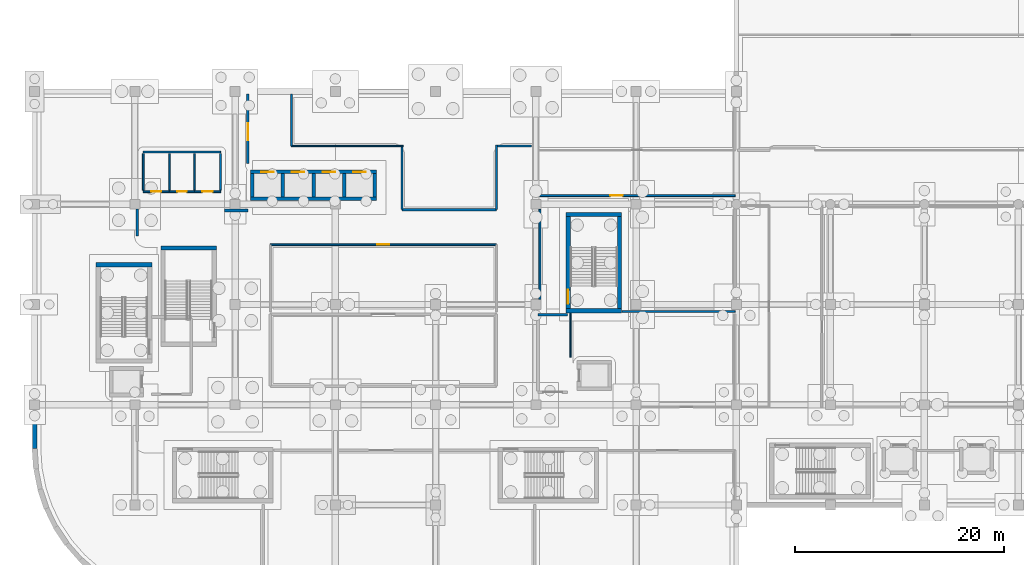
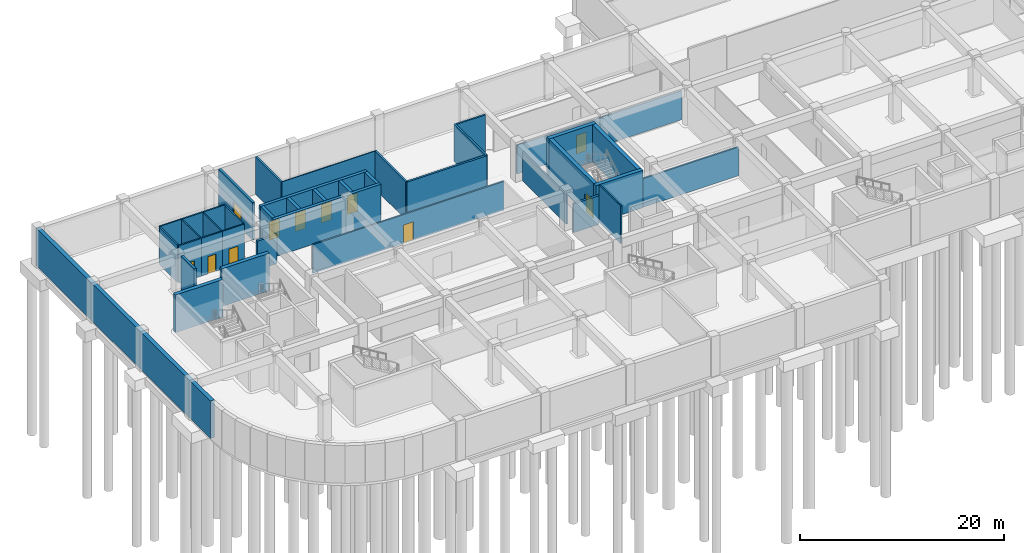
# One storey, part 14 of 47: 37 walls, 11 doors, 11 openings.
"""IFC4 building model written with IfcOpenShell, lengths in metres."""

from ifc_helpers import new_model, si_unit, direction, frame, frame_2d, origin, place, context, subcontext, project, spatial, rectangle, extrude, material, layer, layer_set, type_object, element, fill, save


model = new_model("IFC4")

# Units and contexts
model_context = context("Model", 3, precision=1e-05, world=origin(), true_north=direction((0.0, 1.0)))
body_context = subcontext(model_context, "Body", "Model", "MODEL_VIEW")
ifc_project = project(units=[si_unit("LENGTHUNIT", "METRE"), si_unit("AREAUNIT", "SQUARE_METRE"), si_unit("VOLUMEUNIT", "CUBIC_METRE"), si_unit("PLANEANGLEUNIT", "RADIAN"), si_unit("MASSUNIT", "GRAM", prefix="KILO")], contexts=[model_context])

# Site, building, storey
site_placement = place(None, origin())
site = spatial("IfcSite", under=ifc_project, at=site_placement, CompositionType="ELEMENT")
building_placement = place(site_placement, origin())
building = spatial("IfcBuilding", under=site, at=building_placement, Name="Cendralis Terraced Arcade", CompositionType="ELEMENT")
storey_placement = place(building_placement, frame((0.0, 0.0, -4.800048828125)))
storey = spatial("IfcBuildingStorey", under=building, at=storey_placement, Name="B1", CompositionType="ELEMENT", Elevation=-4.800048828125)

# Walls
ifc_material_1 = material(Name="Gypsum plasterboard acoustic partition", Category="concrete")
ifc_layer_1 = layer(ifc_material_1, 0.195068359375, Name="WL-ACOU-195")
ifc_layer_set_1 = layer_set([ifc_layer_1], Name="Gypsum plasterboard acoustic partition")
wall_type_1 = type_object("IfcWallType", Name="WL-ACOU-195", PredefinedType="PARTITIONING", material=ifc_layer_set_1)
wall_1_placement = place(storey_placement, frame((47.580810546875, 43.97998046875, 0.0), z_axis=(0.0, 0.0, 1.0), x_axis=(-1.0, 0.0, 0.0)))
element("IfcWall", 1, at=wall_1_placement, inside=storey, type_object=wall_type_1, Name="Interior Partition Wall IW-B1-0107", PredefinedType="PARTITIONING", context=body_context, shape_type="SweptSolid", body=[
    extrude(rectangle(XDim=3.255859375, YDim=0.195068359375, at=frame_2d((1.6279296875, 0.0))), origin(), (0.0, 0.0, 1.0), 4.5),
])
ifc_layer_2 = layer(ifc_material_1, 0.199951171875, Name="WL-ACOU-200")
ifc_layer_set_2 = layer_set([ifc_layer_2], Name="Gypsum plasterboard acoustic partition")
wall_type_2 = type_object("IfcWallType", Name="WL-ACOU-200", PredefinedType="PARTITIONING", material=ifc_layer_set_2)
wall_2_placement = place(storey_placement, frame((24.580078125, 43.97998046875, 0.0), z_axis=(0.0, 0.0, 1.0), x_axis=(0.0, 1.0, 0.0)))
element("IfcWall", 2, at=wall_2_placement, inside=storey, type_object=wall_type_2, Name="Interior Partition Wall IW-B1-0106", PredefinedType="PARTITIONING", context=body_context, shape_type="SweptSolid", body=[
    extrude(rectangle(XDim=4.969970703125, YDim=0.199951171875, at=frame_2d((2.48486328125, 0.0))), origin(), (0.0, 0.0, 1.0), 4.5),
])
ifc_layer_3 = layer(ifc_material_1, 0.2099609375, Name="WL-ACOU-210")
ifc_layer_set_3 = layer_set([ifc_layer_3], Name="Gypsum plasterboard acoustic partition")
wall_type_3 = type_object("IfcWallType", Name="WL-ACOU-210", PredefinedType="PARTITIONING", material=ifc_layer_set_3)
wall_3_placement = place(storey_placement, frame((44.219970703125, 44.077392578125, 0.0), z_axis=(0.0, 0.0, 1.0), x_axis=(0.0, -1.0, 0.0)))
element("IfcWall", 3, at=wall_3_placement, inside=storey, type_object=wall_type_3, Name="Interior Partition Wall IW-B1-0104", PredefinedType="PARTITIONING", context=body_context, shape_type="SweptSolid", body=[
    extrude(rectangle(XDim=6.197509765625, YDim=0.2099609375, at=frame_2d((3.0986328125, 0.0))), origin(), (0.0, 0.0, 1.0), 4.5),
])
ifc_material_2 = material(Name="Autoclaved aerated concrete blockwork", Category="masonry")
ifc_layer_4 = layer(ifc_material_2, 0.221923828125, Name="WL-ACOU-222")
ifc_layer_set_4 = layer_set([ifc_layer_4], Name="Autoclaved aerated concrete blockwork")
wall_type_4 = type_object("IfcWallType", Name="WL-ACOU-222", PredefinedType="PARTITIONING", material=ifc_layer_set_4)
wall_4_placement = place(storey_placement, frame((35.179931640625, 37.8798828125, 0.0), z_axis=(0.0, 0.0, 1.0), x_axis=(0.0, 1.0, 0.0)))
element("IfcWall", 4, at=wall_4_placement, inside=storey, type_object=wall_type_4, Name="Interior Partition Wall IW-B1-0103", PredefinedType="PARTITIONING", context=body_context, shape_type="SweptSolid", body=[
    extrude(rectangle(XDim=6.046142578125, YDim=0.221923828125, at=frame_2d((3.02294921875, 0.0))), origin(), (0.0, 0.0, 1.0), 4.5),
])
ifc_layer_5 = layer(ifc_material_2, 0.22802734375, Name="WL-ACOU-228")
ifc_layer_set_5 = layer_set([ifc_layer_5], Name="Autoclaved aerated concrete blockwork")
wall_type_5 = type_object("IfcWallType", Name="WL-ACOU-228", PredefinedType="PARTITIONING", material=ifc_layer_set_5)
wall_5_placement = place(storey_placement, frame((44.219970703125, 37.8798828125, 0.0), z_axis=(0.0, 0.0, 1.0), x_axis=(-1.0, 0.0, 0.0)))
element("IfcWall", 5, at=wall_5_placement, inside=storey, type_object=wall_type_5, Name="Interior Partition Wall IW-B1-0102", PredefinedType="PARTITIONING", context=body_context, shape_type="SweptSolid", body=[
    extrude(rectangle(XDim=9.0400390625, YDim=0.22802734375, at=frame_2d((4.52001953125, 0.0))), origin(), (0.0, 0.0, 1.0), 4.5),
])
ifc_material_3 = material(Name="Concrete f'c 42 MPa", Category="concrete")
ifc_layer_6 = layer(ifc_material_3, 0.340087890625, Name="WL-CORE-340")
ifc_layer_set_6 = layer_set([ifc_layer_6], Name="Concrete f'c 42 MPa")
wall_type_6 = type_object("IfcWallType", Name="WL-CORE-340", PredefinedType="SHEAR", material=ifc_layer_set_6)
for number, where, z_axis, x_axis, name in (
    (6, (23.77001953125, 39.074951171875, 0.0), (0.0, 0.0, 1.0), (0.0, 1.0, 0.0), "Lift PL-01 Reinforced Concrete Shaft Wall (B1)"),
    (7, (20.830078125, 39.074951171875, 0.0), (0.0, 0.0, 1.0), (0.0, 1.0, 0.0), "Lift PL-01 Reinforced Concrete Shaft Wall (B1)"),
):
    element("IfcWall", number, at=place(storey_placement, frame(where, z_axis=z_axis, x_axis=x_axis)), inside=storey, type_object=wall_type_6, Name=name, PredefinedType="SHEAR", context=body_context, shape_type="SweptSolid", body=[
        extrude(rectangle(XDim=2.25, YDim=0.340087890625, at=frame_2d((1.125, 0.0))), origin(), (0.0, 0.0, 1.0), 4.5),
    ])
wall_6_placement = place(storey_placement, frame((20.659912109375, 38.905029296875, 0.0), z_axis=(0.0, 0.0, 1.0), x_axis=(1.0, 0.0, 0.0)))
element("IfcWall", 8, at=wall_6_placement, inside=storey, type_object=wall_type_6, Name="Lift PL-01 Reinforced Concrete Shaft Wall (B1)", PredefinedType="SHEAR", context=body_context, shape_type="SweptSolid", body=[
    extrude(rectangle(XDim=12.10009765625, YDim=0.340087890625, at=frame_2d((6.050048828125, 0.0))), origin(), (0.0, 0.0, 1.0), 4.5),
])

# Wall, openings, doors
wall_7_placement = place(storey_placement, frame((20.659912109375, 41.4951171875, 0.0), z_axis=(0.0, 0.0, 1.0), x_axis=(1.0, 0.0, 0.0)))
wall_7 = element("IfcWall", 9, at=wall_7_placement, inside=storey, type_object=wall_type_6, Name="Lift PL-01 Reinforced Concrete Shaft Wall (B1)", PredefinedType="SHEAR", context=body_context, shape_type="SweptSolid", body=[
    extrude(rectangle(XDim=12.10009765625, YDim=0.340087890625, at=frame_2d((6.050048828125, 0.0))), origin(), (0.0, 0.0, 1.0), 4.5),
])
opening_1_placement = place(wall_7_placement, frame((1.0400390625, 0.0, 0.0)))
opening_1 = element("IfcOpeningElement", 10, at=opening_1_placement, cuts=wall_7, Name="Opening LD-PL-01-B1", PredefinedType="OPENING", context=body_context, shape_type="SweptSolid", body=[
    extrude(rectangle(XDim=1.199951171875, YDim=2.199951171875, at=frame_2d((0.60009765625, 1.10009765625))), frame((0.0, 0.18212890625, 0.0), z_axis=(0.0, -1.0, 0.0), x_axis=(1.0, 0.0, 0.0)), (0.0, 0.0, 1.0), 0.364013671875),
])
opening_2_placement = place(wall_7_placement, frame((3.97998046875, 0.0, 0.0)))
opening_2 = element("IfcOpeningElement", 11, at=opening_2_placement, cuts=wall_7, Name="Opening LD-PL-02-B1", PredefinedType="OPENING", context=body_context, shape_type="SweptSolid", body=[
    extrude(rectangle(XDim=1.199951171875, YDim=2.199951171875, at=frame_2d((0.60009765625, 1.10009765625))), frame((0.0, 0.18212890625, 0.0), z_axis=(0.0, -1.0, 0.0), x_axis=(1.0, 0.0, 0.0)), (0.0, 0.0, 1.0), 0.364013671875),
])
opening_3_placement = place(wall_7_placement, frame((6.919921875, 0.0, 0.0)))
opening_3 = element("IfcOpeningElement", 12, at=opening_3_placement, cuts=wall_7, Name="Opening LD-PL-03-B1", PredefinedType="OPENING", context=body_context, shape_type="SweptSolid", body=[
    extrude(rectangle(XDim=1.199951171875, YDim=2.199951171875, at=frame_2d((0.60009765625, 1.10009765625))), frame((0.0, 0.18212890625, 0.0), z_axis=(0.0, -1.0, 0.0), x_axis=(1.0, 0.0, 0.0)), (0.0, 0.0, 1.0), 0.364013671875),
])
opening_4_placement = place(wall_7_placement, frame((9.860107421875, 0.0, 0.0)))
opening_4 = element("IfcOpeningElement", 13, at=opening_4_placement, cuts=wall_7, Name="Opening LD-PL-04-B1", PredefinedType="OPENING", context=body_context, shape_type="SweptSolid", body=[
    extrude(rectangle(XDim=1.199951171875, YDim=2.199951171875, at=frame_2d((0.60009765625, 1.10009765625))), frame((0.0, 0.18212890625, 0.0), z_axis=(0.0, -1.0, 0.0), x_axis=(1.0, 0.0, 0.0)), (0.0, 0.0, 1.0), 0.364013671875),
])
ifc_material_4 = material(Name="Anodised aluminium sliding door assembly", Category="aluminium")
door_type_1 = type_object("IfcDoorType", Name="ID-LD-PX-1200x2200", OperationType="DOUBLE_DOOR_SLIDING", PredefinedType="DOOR", material=ifc_material_4)
door_1_placement = place(opening_1_placement, origin())
door_1 = element("IfcDoor", 14, at=door_1_placement, inside=storey, type_object=door_type_1, Name="Lift PL-01 Sliding Landing Door (B1)", OperationType="DOUBLE_DOOR_SLIDING", OverallHeight=2.199951171875, OverallWidth=1.199951171875, PredefinedType="DOOR", context=body_context, shape_type="SweptSolid", body=[
    extrude(rectangle(XDim=1.199951171875, YDim=2.199951171875, at=frame_2d((0.60009765625, 1.10009765625))), frame((0.0, 0.02490234375, 0.0), z_axis=(0.0, -1.0, 0.0), x_axis=(1.0, 0.0, 0.0)), (0.0, 0.0, 1.0), 0.050048828125),
])
fill(opening_1, door_1)
door_2_placement = place(opening_2_placement, origin())
door_2 = element("IfcDoor", 15, at=door_2_placement, inside=storey, type_object=door_type_1, Name="Lift PL-02 Sliding Landing Door (B1)", OperationType="DOUBLE_DOOR_SLIDING", OverallHeight=2.199951171875, OverallWidth=1.199951171875, PredefinedType="DOOR", context=body_context, shape_type="SweptSolid", body=[
    extrude(rectangle(XDim=1.199951171875, YDim=2.199951171875, at=frame_2d((0.60009765625, 1.10009765625))), frame((0.0, 0.02490234375, 0.0), z_axis=(0.0, -1.0, 0.0), x_axis=(1.0, 0.0, 0.0)), (0.0, 0.0, 1.0), 0.050048828125),
])
fill(opening_2, door_2)
door_3_placement = place(opening_3_placement, origin())
door_3 = element("IfcDoor", 16, at=door_3_placement, inside=storey, type_object=door_type_1, Name="Lift PL-03 Sliding Landing Door (B1)", OperationType="DOUBLE_DOOR_SLIDING", OverallHeight=2.199951171875, OverallWidth=1.199951171875, PredefinedType="DOOR", context=body_context, shape_type="SweptSolid", body=[
    extrude(rectangle(XDim=1.199951171875, YDim=2.199951171875, at=frame_2d((0.60009765625, 1.10009765625))), frame((0.0, 0.02490234375, 0.0), z_axis=(0.0, -1.0, 0.0), x_axis=(1.0, 0.0, 0.0)), (0.0, 0.0, 1.0), 0.050048828125),
])
fill(opening_3, door_3)
door_4_placement = place(opening_4_placement, origin())
door_4 = element("IfcDoor", 17, at=door_4_placement, inside=storey, type_object=door_type_1, Name="Lift PL-04 Sliding Landing Door (B1)", OperationType="DOUBLE_DOOR_SLIDING", OverallHeight=2.199951171875, OverallWidth=1.199951171875, PredefinedType="DOOR", context=body_context, shape_type="SweptSolid", body=[
    extrude(rectangle(XDim=1.199951171875, YDim=2.199951171875, at=frame_2d((0.60009765625, 1.10009765625))), frame((0.0, 0.02490234375, 0.0), z_axis=(0.0, -1.0, 0.0), x_axis=(1.0, 0.0, 0.0)), (0.0, 0.0, 1.0), 0.050048828125),
])
fill(opening_4, door_4)

# Walls
for number, where, z_axis, x_axis, name in (
    (18, (26.7099609375, 39.074951171875, 0.0), (0.0, 0.0, 1.0), (0.0, 1.0, 0.0), "Lift PL-02 Reinforced Concrete Shaft Wall (B1)"),
    (19, (29.64990234375, 39.074951171875, 0.0), (0.0, 0.0, 1.0), (0.0, 1.0, 0.0), "Lift PL-03 Reinforced Concrete Shaft Wall (B1)"),
    (20, (32.590087890625, 39.074951171875, 0.0), (0.0, 0.0, 1.0), (0.0, 1.0, 0.0), "Lift PL-04 Reinforced Concrete Shaft Wall (B1)"),
):
    element("IfcWall", number, at=place(storey_placement, frame(where, z_axis=z_axis, x_axis=x_axis)), inside=storey, type_object=wall_type_6, Name=name, PredefinedType="SHEAR", context=body_context, shape_type="SweptSolid", body=[
        extrude(rectangle(XDim=2.25, YDim=0.340087890625, at=frame_2d((1.125, 0.0))), origin(), (0.0, 0.0, 1.0), 4.5),
    ])
ifc_layer_7 = layer(ifc_material_3, 0.419921875, Name="WL-CORE-420")
ifc_layer_set_7 = layer_set([ifc_layer_7], Name="Concrete f'c 42 MPa")
wall_type_7 = type_object("IfcWallType", Name="WL-CORE-420", PredefinedType="SHEAR", material=ifc_layer_set_7)
for number, where, z_axis, x_axis, name in (
    (21, (5.8798828125, 32.610107421875, 0.0), (0.0, 0.0, 1.0), (1.0, 0.0, 0.0), "Stair Core Reinforced Concrete Shear Wall SW-ST-01-B1-N"),
    (22, (50.8798828125, 28.18994140625, 0.0), (0.0, 0.0, 1.0), (1.0, 0.0, 0.0), "Stair Core Reinforced Concrete Shear Wall SW-ST-04-B1-S"),
    (23, (50.8798828125, 37.409912109375, 0.0), (0.0, 0.0, 1.0), (1.0, 0.0, 0.0), "Stair Core Reinforced Concrete Shear Wall SW-ST-04-B1-N"),
):
    element("IfcWall", number, at=place(storey_placement, frame(where, z_axis=z_axis, x_axis=x_axis)), inside=storey, type_object=wall_type_7, Name=name, PredefinedType="SHEAR", context=body_context, shape_type="SweptSolid", body=[
        extrude(rectangle(XDim=5.340087890625, YDim=0.419921875, at=frame_2d((2.669921875, 0.0))), origin(), (0.0, 0.0, 1.0), 4.5),
    ])
wall_8_placement = place(storey_placement, frame((56.010009765625, 28.39990234375, 0.0), z_axis=(0.0, 0.0, 1.0), x_axis=(0.0, 1.0, 0.0)))
element("IfcWall", 24, at=wall_8_placement, inside=storey, type_object=wall_type_7, Name="Stair Core Reinforced Concrete Shear Wall SW-ST-04-B1-E", PredefinedType="SHEAR", context=body_context, shape_type="SweptSolid", body=[
    extrude(rectangle(XDim=8.800048828125, YDim=0.419921875, at=frame_2d((4.39990234375, 0.0))), origin(), (0.0, 0.0, 1.0), 4.5),
])

# Wall, opening, door
wall_9_placement = place(storey_placement, frame((51.090087890625, 28.39990234375, 0.0), z_axis=(0.0, 0.0, 1.0), x_axis=(0.0, 1.0, 0.0)))
wall_9 = element("IfcWall", 25, at=wall_9_placement, inside=storey, type_object=wall_type_7, Name="Stair Core Reinforced Concrete Shear Wall SW-ST-04-B1-W", PredefinedType="SHEAR", context=body_context, shape_type="SweptSolid", body=[
    extrude(rectangle(XDim=8.800048828125, YDim=0.419921875, at=frame_2d((4.39990234375, 0.0))), origin(), (0.0, 0.0, 1.0), 4.5),
])
opening_5_placement = place(wall_9_placement, frame((0.449951171875, 0.0, 0.0)))
opening_5 = element("IfcOpeningElement", 26, at=opening_5_placement, cuts=wall_9, Name="Opening D-ST-04-B1", PredefinedType="OPENING", context=body_context, shape_type="SweptSolid", body=[
    extrude(rectangle(XDim=1.35009765625, YDim=2.199951171875, at=frame_2d((0.675048828125, 1.10009765625))), frame((0.0, 0.221923828125, 0.0), z_axis=(0.0, -1.0, 0.0), x_axis=(1.0, 0.0, 0.0)), (0.0, 0.0, 1.0), 0.44384765625),
])
ifc_material_5 = material(Name="Galvanised fire-rated steel door assembly", Category="steel")
door_type_2 = type_object("IfcDoorType", Name="ID-ST-1350x2200", OperationType="NOTDEFINED", PredefinedType="DOOR", material=ifc_material_5)
door_5_placement = place(opening_5_placement, frame((1.35009765625, 0.0, 0.0), z_axis=(0.0, 0.0, 1.0), x_axis=(-1.0, 0.0, 0.0)))
door_5 = element("IfcDoor", 27, at=door_5_placement, inside=storey, type_object=door_type_2, Name="Protected Stair ST-04 Fire Door (B1)", OperationType="SINGLE_SWING_LEFT", OverallHeight=2.199951171875, OverallWidth=1.35009765625, PredefinedType="DOOR", context=body_context, shape_type="SweptSolid", body=[
    extrude(rectangle(XDim=1.35009765625, YDim=2.199951171875, at=frame_2d((0.675048828125, 1.10009765625))), frame((0.0, 0.02490234375, 0.0), z_axis=(0.0, -1.0, 0.0), x_axis=(1.0, 0.0, 0.0)), (0.0, 0.0, 1.0), 0.050048828125),
])
fill(opening_5, door_5)

# Walls
wall_10_placement = place(storey_placement, frame((12.080078125, 34.2099609375, 0.0), z_axis=(0.0, 0.0, 1.0), x_axis=(1.0, 0.0, 0.0)))
element("IfcWall", 28, at=wall_10_placement, inside=storey, type_object=wall_type_7, Name="Stair Core Reinforced Concrete Shear Wall SW-ST-05-B1-N", PredefinedType="SHEAR", context=body_context, shape_type="SweptSolid", body=[
    extrude(rectangle(XDim=5.33984375, YDim=0.419921875, at=frame_2d((2.669921875, 0.0))), origin(), (0.0, 0.0, 1.0), 4.5),
])
ifc_layer_8 = layer(ifc_material_2, 0.25, Name="WL-FFL-250")
ifc_layer_set_8 = layer_set([ifc_layer_8], Name="Autoclaved aerated concrete blockwork")
wall_type_8 = type_object("IfcWallType", Name="WL-FFL-250", PredefinedType="PARTITIONING", material=ifc_layer_set_8)
wall_11_placement = place(storey_placement, frame((48.199951171875, 27.800048828125, 0.0), z_axis=(0.0, 0.0, 1.0), x_axis=(1.0, 0.0, 0.0)))
element("IfcWall", 29, at=wall_11_placement, inside=storey, type_object=wall_type_8, Name="Firefighting Lift Lobby FFL-02 Rated Wall N (B1)", PredefinedType="PARTITIONING", context=body_context, shape_type="SweptSolid", body=[
    extrude(rectangle(XDim=2.85009765625, YDim=0.25, at=frame_2d((1.425048828125, 0.0))), origin(), (0.0, 0.0, 1.0), 3.43994140625),
])

# Wall, opening, door
ifc_layer_9 = layer(ifc_material_2, 0.260009765625, Name="WL-FIRE-260")
ifc_layer_set_9 = layer_set([ifc_layer_9], Name="Autoclaved aerated concrete blockwork")
wall_type_9 = type_object("IfcWallType", Name="WL-FIRE-260", PredefinedType="PARTITIONING", material=ifc_layer_set_9)
wall_12_placement = place(storey_placement, frame((20.419921875, 48.949951171875, 0.0), z_axis=(0.0, 0.0, 1.0), x_axis=(0.0, -1.0, 0.0)))
wall_12 = element("IfcWall", 30, at=wall_12_placement, inside=storey, type_object=wall_type_9, Name="Interior Partition Wall IW-B1-0089", PredefinedType="PARTITIONING", context=body_context, shape_type="SweptSolid", body=[
    extrude(rectangle(XDim=6.64501953125, YDim=0.260009765625, at=frame_2d((3.322509765625, 0.0))), origin(), (0.0, 0.0, 1.0), 4.5),
])
opening_6_placement = place(wall_12_placement, frame((2.8173828125, 0.0, 0.0)))
opening_6 = element("IfcOpeningElement", 31, at=opening_6_placement, cuts=wall_12, Name="Opening D-B1-033", PredefinedType="OPENING", context=body_context, shape_type="SweptSolid", body=[
    extrude(rectangle(XDim=1.60009765625, YDim=2.300048828125, at=frame_2d((0.800048828125, 1.14990234375))), frame((0.0, 0.14208984375, 0.0), z_axis=(0.0, -1.0, 0.0), x_axis=(1.0, 0.0, 0.0)), (0.0, 0.0, 1.0), 0.283935546875),
])
door_type_3 = type_object("IfcDoorType", Name="ID-PLT-1600x2300", OperationType="DOUBLE_DOOR_SINGLE_SWING", PredefinedType="DOOR", material=ifc_material_5)
door_6_placement = place(opening_6_placement, origin())
door_6 = element("IfcDoor", 32, at=door_6_placement, inside=storey, type_object=door_type_3, Name="Substation, Chiller, Water Tank and Standby Power Plant Door D-B1-033", OperationType="DOUBLE_DOOR_SINGLE_SWING", OverallHeight=2.300048828125, OverallWidth=1.60009765625, PredefinedType="DOOR", context=body_context, shape_type="SweptSolid", body=[
    extrude(rectangle(XDim=1.60009765625, YDim=2.300048828125, at=frame_2d((0.800048828125, 1.14990234375))), frame((0.0, 0.02490234375, 0.0), z_axis=(0.0, -1.0, 0.0), x_axis=(1.0, 0.0, 0.0)), (0.0, 0.0, 1.0), 0.050048828125),
])
fill(opening_6, door_6)

# Walls
wall_13_placement = place(storey_placement, frame((9.820068359375, 37.925048828125, 0.0), z_axis=(0.0, 0.0, 1.0), x_axis=(0.0, -1.0, 0.0)))
element("IfcWall", 33, at=wall_13_placement, inside=storey, type_object=wall_type_9, Name="Interior Partition Wall IW-B1-0091", PredefinedType="PARTITIONING", context=body_context, shape_type="SweptSolid", body=[
    extrude(rectangle(XDim=2.545166015625, YDim=0.260009765625, at=frame_2d((1.2724609375, 0.0))), origin(), (0.0, 0.0, 1.0), 4.5),
])
wall_14_placement = place(storey_placement, frame((20.419921875, 37.794921875, 0.0), z_axis=(0.0, 0.0, 1.0), x_axis=(-1.0, 0.0, 0.0)))
element("IfcWall", 34, at=wall_14_placement, inside=storey, type_object=wall_type_9, Name="Interior Partition Wall IW-B1-0092", PredefinedType="PARTITIONING", context=body_context, shape_type="SweptSolid", body=[
    extrude(rectangle(XDim=2.239990234375, YDim=0.260009765625, at=frame_2d((1.1201171875, 0.0))), origin(), (0.0, 0.0, 1.0), 3.43994140625),
])
ifc_layer_10 = layer(ifc_material_1, 0.10791015625, Name="WL-PART-108")
ifc_layer_set_10 = layer_set([ifc_layer_10], Name="Gypsum plasterboard acoustic partition")
wall_type_10 = type_object("IfcWallType", Name="WL-PART-108", PredefinedType="PARTITIONING", material=ifc_layer_set_10)
wall_15_placement = place(storey_placement, frame((35.291015625, 43.97998046875, 0.0), z_axis=(0.0, 0.0, 1.0), x_axis=(-1.0, 0.0, 0.0)))
element("IfcWall", 35, at=wall_15_placement, inside=storey, type_object=wall_type_10, Name="Interior Partition Wall IW-B1-0101", PredefinedType="PARTITIONING", context=body_context, shape_type="SweptSolid", body=[
    extrude(rectangle(XDim=10.7109375, YDim=0.10791015625, at=frame_2d((5.35546875, 0.0))), origin(), (0.0, 0.0, 1.0), 4.5),
])
ifc_layer_11 = layer(ifc_material_1, 0.1259765625, Name="WL-PART-126")
ifc_layer_set_11 = layer_set([ifc_layer_11], Name="Gypsum plasterboard acoustic partition")
wall_type_11 = type_object("IfcWallType", Name="WL-PART-126", PredefinedType="PARTITIONING", material=ifc_layer_set_11)
wall_16_placement = place(storey_placement, frame((51.31005859375, 23.744873046875, 0.0), z_axis=(0.0, 0.0, 1.0), x_axis=(0.0, 1.0, 0.0)))
element("IfcWall", 36, at=wall_16_placement, inside=storey, type_object=wall_type_11, Name="Interior Partition Wall IW-B1-0118", PredefinedType="PARTITIONING", context=body_context, shape_type="SweptSolid", body=[
    extrude(rectangle(XDim=4.235107421875, YDim=0.1259765625, at=frame_2d((2.11767578125, 0.0))), origin(), (0.0, 0.0, 1.0), 4.5),
])
ifc_layer_12 = layer(ifc_material_1, 0.1298828125, Name="WL-PART-130")
ifc_layer_set_12 = layer_set([ifc_layer_12], Name="Gypsum plasterboard acoustic partition")
wall_type_12 = type_object("IfcWallType", Name="WL-PART-130", PredefinedType="PARTITIONING", material=ifc_layer_set_12)
for number, where, z_axis, x_axis, name in (
    (37, (12.89990234375, 39.75, 0.0), (0.0, 0.0, 1.0), (0.0, 1.0, 0.0), "Restroom Enclosure Partition IW-WC-B1-0003"),
    (38, (15.300048828125, 39.75, 0.0), (0.0, 0.0, 1.0), (0.0, 1.0, 0.0), "Restroom Enclosure Partition IW-WC-B1-0004"),
):
    element("IfcWall", number, at=place(storey_placement, frame(where, z_axis=z_axis, x_axis=x_axis)), inside=storey, type_object=wall_type_12, Name=name, PredefinedType="PARTITIONING", context=body_context, shape_type="SweptSolid", body=[
        extrude(rectangle(XDim=3.5, YDim=0.1298828125, at=frame_2d((1.75, 0.0))), origin(), (0.0, 0.0, 1.0), 4.5),
    ])
ifc_layer_13 = layer(ifc_material_1, 0.159912109375, Name="WL-PART-160")
ifc_layer_set_13 = layer_set([ifc_layer_13], Name="Gypsum plasterboard acoustic partition")
wall_type_13 = type_object("IfcWallType", Name="WL-PART-160", PredefinedType="PARTITIONING", material=ifc_layer_set_13)
wall_17_placement = place(storey_placement, frame((10.39990234375, 43.39990234375, 0.0), z_axis=(0.0, 0.0, 1.0), x_axis=(1.0, 0.0, 0.0)))
element("IfcWall", 39, at=wall_17_placement, inside=storey, type_object=wall_type_13, Name="Restroom Enclosure Partition IW-WC-B1-0001", PredefinedType="PARTITIONING", context=body_context, shape_type="SweptSolid", body=[
    extrude(rectangle(XDim=7.400146484375, YDim=0.159912109375, at=frame_2d((3.7001953125, 0.0))), origin(), (0.0, 0.0, 1.0), 4.5),
])
for number, where, z_axis, x_axis, name in (
    (40, (10.39990234375, 39.75, 0.0), (0.0, 0.0, 1.0), (0.0, 1.0, 0.0), "Restroom Enclosure Partition IW-WC-B1-0002"),
    (41, (17.800048828125, 39.75, 0.0), (0.0, 0.0, 1.0), (0.0, 1.0, 0.0), "Restroom Enclosure Partition IW-WC-B1-0005"),
):
    element("IfcWall", number, at=place(storey_placement, frame(where, z_axis=z_axis, x_axis=x_axis)), inside=storey, type_object=wall_type_13, Name=name, PredefinedType="PARTITIONING", context=body_context, shape_type="SweptSolid", body=[
        extrude(rectangle(XDim=3.5, YDim=0.159912109375, at=frame_2d((1.75, 0.0))), origin(), (0.0, 0.0, 1.0), 4.5),
    ])

# Wall, opening, door
wall_18_placement = place(storey_placement, frame((10.39990234375, 39.60009765625, 0.0), z_axis=(0.0, 0.0, 1.0), x_axis=(1.0, 0.0, 0.0)))
wall_18 = element("IfcWall", 42, at=wall_18_placement, inside=storey, type_object=wall_type_13, Name="Restroom Enclosure Partition IW-WC-B1-0006", PredefinedType="PARTITIONING", context=body_context, shape_type="SweptSolid", body=[
    extrude(rectangle(XDim=2.5, YDim=0.159912109375, at=frame_2d((1.25, 0.0))), origin(), (0.0, 0.0, 1.0), 4.5),
])
opening_7_placement = place(wall_18_placement, frame((0.77490234375, 0.0, 0.0)))
opening_7 = element("IfcOpeningElement", 43, at=opening_7_placement, cuts=wall_18, Name="Opening D-WC-B1-001", PredefinedType="OPENING", context=body_context, shape_type="SweptSolid", body=[
    extrude(rectangle(XDim=0.949951171875, YDim=2.080078125, at=frame_2d((0.47509765625, 1.0400390625))), frame((0.0, 0.091796875, 0.0), z_axis=(0.0, -1.0, 0.0), x_axis=(1.0, 0.0, 0.0)), (0.0, 0.0, 1.0), 0.183837890625),
])
ifc_material_6 = material(Name="Solid core Andean oak veneer door leaf", Category="aluminium")
door_type_4 = type_object("IfcDoorType", Name="ID-WC-0950x2080", OperationType="NOTDEFINED", PredefinedType="DOOR", material=ifc_material_6)
door_7_placement = place(opening_7_placement, origin())
door_7 = element("IfcDoor", 44, at=door_7_placement, inside=storey, type_object=door_type_4, Name="Women's Restroom Door (B1)", OperationType="SINGLE_SWING_RIGHT", OverallHeight=2.080078125, OverallWidth=0.949951171875, PredefinedType="DOOR", context=body_context, shape_type="SweptSolid", body=[
    extrude(rectangle(XDim=0.949951171875, YDim=2.080078125, at=frame_2d((0.47509765625, 1.0400390625))), frame((0.0, 0.02490234375, 0.0), z_axis=(0.0, -1.0, 0.0), x_axis=(1.0, 0.0, 0.0)), (0.0, 0.0, 1.0), 0.050048828125),
])
fill(opening_7, door_7)

wall_19_placement = place(storey_placement, frame((12.89990234375, 39.60009765625, 0.0), z_axis=(0.0, 0.0, 1.0), x_axis=(1.0, 0.0, 0.0)))
wall_19 = element("IfcWall", 45, at=wall_19_placement, inside=storey, type_object=wall_type_13, Name="Restroom Enclosure Partition IW-WC-B1-0007", PredefinedType="PARTITIONING", context=body_context, shape_type="SweptSolid", body=[
    extrude(rectangle(XDim=2.400146484375, YDim=0.159912109375, at=frame_2d((1.2001953125, 0.0))), origin(), (0.0, 0.0, 1.0), 4.5),
])
opening_8_placement = place(wall_19_placement, frame((0.739990234375, 0.0, 0.0)))
opening_8 = element("IfcOpeningElement", 46, at=opening_8_placement, cuts=wall_19, Name="Opening D-WC-B1-002", PredefinedType="OPENING", context=body_context, shape_type="SweptSolid", body=[
    extrude(rectangle(XDim=0.919921875, YDim=2.050048828125, at=frame_2d((0.4599609375, 1.02490234375))), frame((0.0, 0.091796875, 0.0), z_axis=(0.0, -1.0, 0.0), x_axis=(1.0, 0.0, 0.0)), (0.0, 0.0, 1.0), 0.183837890625),
])
door_type_5 = type_object("IfcDoorType", Name="ID-WC-0920x2050", OperationType="NOTDEFINED", PredefinedType="DOOR", material=ifc_material_6)
door_8_placement = place(opening_8_placement, origin())
door_8 = element("IfcDoor", 47, at=door_8_placement, inside=storey, type_object=door_type_5, Name="Men's Restroom Door (B1)", OperationType="SINGLE_SWING_LEFT", OverallHeight=2.050048828125, OverallWidth=0.919921875, PredefinedType="DOOR", context=body_context, shape_type="SweptSolid", body=[
    extrude(rectangle(XDim=0.919921875, YDim=2.050048828125, at=frame_2d((0.4599609375, 1.02490234375))), frame((0.0, 0.02490234375, 0.0), z_axis=(0.0, -1.0, 0.0), x_axis=(1.0, 0.0, 0.0)), (0.0, 0.0, 1.0), 0.050048828125),
])
fill(opening_8, door_8)

wall_20_placement = place(storey_placement, frame((15.300048828125, 39.60009765625, 0.0), z_axis=(0.0, 0.0, 1.0), x_axis=(1.0, 0.0, 0.0)))
wall_20 = element("IfcWall", 48, at=wall_20_placement, inside=storey, type_object=wall_type_13, Name="Restroom Enclosure Partition IW-WC-B1-0008", PredefinedType="PARTITIONING", context=body_context, shape_type="SweptSolid", body=[
    extrude(rectangle(XDim=2.5, YDim=0.159912109375, at=frame_2d((1.25, 0.0))), origin(), (0.0, 0.0, 1.0), 4.5),
])
opening_9_placement = place(wall_20_placement, frame((0.739990234375, 0.0, 0.0)))
opening_9 = element("IfcOpeningElement", 49, at=opening_9_placement, cuts=wall_20, Name="Opening D-WC-B1-003", PredefinedType="OPENING", context=body_context, shape_type="SweptSolid", body=[
    extrude(rectangle(XDim=1.02001953125, YDim=2.1201171875, at=frame_2d((0.510009765625, 1.06005859375))), frame((0.0, 0.091796875, 0.0), z_axis=(0.0, -1.0, 0.0), x_axis=(1.0, 0.0, 0.0)), (0.0, 0.0, 1.0), 0.183837890625),
])
door_type_6 = type_object("IfcDoorType", Name="ID-AWC-1020x2120", OperationType="NOTDEFINED", PredefinedType="DOOR", material=ifc_material_6)
door_9_placement = place(opening_9_placement, origin())
door_9 = element("IfcDoor", 50, at=door_9_placement, inside=storey, type_object=door_type_6, Name="Accessible WC Door (B1)", OperationType="SINGLE_SWING_RIGHT", OverallHeight=2.1201171875, OverallWidth=1.02001953125, PredefinedType="DOOR", context=body_context, shape_type="SweptSolid", body=[
    extrude(rectangle(XDim=1.02001953125, YDim=2.1201171875, at=frame_2d((0.510009765625, 1.06005859375))), frame((0.0, 0.02490234375, 0.0), z_axis=(0.0, -1.0, 0.0), x_axis=(1.0, 0.0, 0.0)), (0.0, 0.0, 1.0), 0.050048828125),
])
fill(opening_9, door_9)

wall_21_placement = place(storey_placement, frame((22.580078125, 34.52001953125, 0.0), z_axis=(0.0, 0.0, 1.0), x_axis=(1.0, 0.0, 0.0)))
wall_21 = element("IfcWall", 51, at=wall_21_placement, inside=storey, type_object=wall_type_13, Name="Interior Partition Wall IW-B1-0112", PredefinedType="PARTITIONING", context=body_context, shape_type="SweptSolid", body=[
    extrude(rectangle(XDim=21.639892578125, YDim=0.159912109375, at=frame_2d((10.81982421875, 0.0))), origin(), (0.0, 0.0, 1.0), 3.43994140625),
])
opening_10_placement = place(wall_21_placement, frame((10.2451171875, 0.0, 0.0)))
opening_10 = element("IfcOpeningElement", 52, at=opening_10_placement, cuts=wall_21, Name="Opening D-B1-038", PredefinedType="OPENING", context=body_context, shape_type="SweptSolid", body=[
    extrude(rectangle(XDim=1.14990234375, YDim=2.199951171875, at=frame_2d((0.574951171875, 1.10009765625))), frame((0.0, 0.091796875, 0.0), z_axis=(0.0, -1.0, 0.0), x_axis=(1.0, 0.0, 0.0)), (0.0, 0.0, 1.0), 0.183837890625),
])
door_type_7 = type_object("IfcDoorType", Name="ID-RM-1150x2200", OperationType="NOTDEFINED", PredefinedType="DOOR", material=ifc_material_6)
door_10_placement = place(opening_10_placement, origin())
door_10 = element("IfcDoor", 53, at=door_10_placement, inside=storey, type_object=door_type_7, Name="Bicycle Mobility and Micromobility Hub Door D-B1-038", OperationType="SINGLE_SWING_LEFT", OverallHeight=2.199951171875, OverallWidth=1.14990234375, PredefinedType="DOOR", context=body_context, shape_type="SweptSolid", body=[
    extrude(rectangle(XDim=1.14990234375, YDim=2.199951171875, at=frame_2d((0.574951171875, 1.10009765625))), frame((0.0, 0.02490234375, 0.0), z_axis=(0.0, -1.0, 0.0), x_axis=(1.0, 0.0, 0.0)), (0.0, 0.0, 1.0), 0.050048828125),
])
fill(opening_10, door_10)

# Walls
ifc_layer_14 = layer(ifc_material_1, 0.175048828125, Name="WL-PART-175")
ifc_layer_set_14 = layer_set([ifc_layer_14], Name="Gypsum plasterboard acoustic partition")
wall_type_14 = type_object("IfcWallType", Name="WL-PART-175", PredefinedType="PARTITIONING", material=ifc_layer_set_14)
wall_22_placement = place(storey_placement, frame((67.080078125, 28.1201171875, 0.0), z_axis=(0.0, 0.0, 1.0), x_axis=(-1.0, 0.0, 0.0)))
element("IfcWall", 54, at=wall_22_placement, inside=storey, type_object=wall_type_14, Name="Interior Partition Wall IW-B1-0110", PredefinedType="PARTITIONING", context=body_context, shape_type="SweptSolid", body=[
    extrude(rectangle(XDim=10.81884765625, YDim=0.175048828125, at=frame_2d((5.409423828125, 0.0))), origin(), (0.0, 0.0, 1.0), 3.43994140625),
])
ifc_layer_15 = layer(ifc_material_1, 0.179931640625, Name="WL-PART-180")
ifc_layer_set_15 = layer_set([ifc_layer_15], Name="Gypsum plasterboard acoustic partition")
wall_type_15 = type_object("IfcWallType", Name="WL-PART-180", PredefinedType="PARTITIONING", material=ifc_layer_set_15)
wall_23_placement = place(storey_placement, frame((48.3798828125, 29.294921875, 0.0), z_axis=(0.0, 0.0, 1.0), x_axis=(0.0, 1.0, 0.0)))
element("IfcWall", 55, at=wall_23_placement, inside=storey, type_object=wall_type_15, Name="Interior Partition Wall IW-B1-0109", PredefinedType="PARTITIONING", context=body_context, shape_type="SweptSolid", body=[
    extrude(rectangle(XDim=8.610107421875, YDim=0.179931640625, at=frame_2d((4.30517578125, 0.0))), origin(), (0.0, 0.0, 1.0), 3.43994140625),
])

# Wall, opening, door
ifc_layer_16 = layer(ifc_material_1, 0.18505859375, Name="WL-PART-185")
ifc_layer_set_16 = layer_set([ifc_layer_16], Name="Gypsum plasterboard acoustic partition")
wall_type_16 = type_object("IfcWallType", Name="WL-PART-185", PredefinedType="PARTITIONING", material=ifc_layer_set_16)
wall_24_placement = place(storey_placement, frame((48.3798828125, 39.219970703125, 0.0), z_axis=(0.0, 0.0, 1.0), x_axis=(1.0, 0.0, 0.0)))
wall_24 = element("IfcWall", 56, at=wall_24_placement, inside=storey, type_object=wall_type_16, Name="Interior Partition Wall IW-B1-0108", PredefinedType="PARTITIONING", context=body_context, shape_type="SweptSolid", body=[
    extrude(rectangle(XDim=18.7001953125, YDim=0.18505859375, at=frame_2d((9.35009765625, 0.0))), origin(), (0.0, 0.0, 1.0), 3.43994140625),
])
opening_11_placement = place(wall_24_placement, frame((6.760009765625, 0.0, 0.0)))
opening_11 = element("IfcOpeningElement", 57, at=opening_11_placement, cuts=wall_24, Name="Opening D-B1-037", PredefinedType="OPENING", context=body_context, shape_type="SweptSolid", body=[
    extrude(rectangle(XDim=1.179931640625, YDim=2.219970703125, at=frame_2d((0.58984375, 1.10986328125))), frame((0.0, 0.1044921875, 0.0), z_axis=(0.0, -1.0, 0.0), x_axis=(1.0, 0.0, 0.0)), (0.0, 0.0, 1.0), 0.208984375),
])
door_type_8 = type_object("IfcDoorType", Name="ID-RM-1180x2220", OperationType="NOTDEFINED", PredefinedType="DOOR", material=ifc_material_6)
door_11_placement = place(opening_11_placement, origin())
door_11 = element("IfcDoor", 58, at=door_11_placement, inside=storey, type_object=door_type_8, Name="Bicycle Mobility and Micromobility Hub Door D-B1-037", OperationType="SINGLE_SWING_RIGHT", OverallHeight=2.219970703125, OverallWidth=1.179931640625, PredefinedType="DOOR", context=body_context, shape_type="SweptSolid", body=[
    extrude(rectangle(XDim=1.179931640625, YDim=2.219970703125, at=frame_2d((0.58984375, 1.10986328125))), frame((0.0, 0.02490234375, 0.0), z_axis=(0.0, -1.0, 0.0), x_axis=(1.0, 0.0, 0.0)), (0.0, 0.0, 1.0), 0.050048828125),
])
fill(opening_11, door_11)

# Wall
ifc_material_7 = material(Name="Concrete f'c 35 MPa", Category="concrete")
ifc_layer_17 = layer(ifc_material_7, 0.449951171875, Name="WL-RET-450")
ifc_layer_set_17 = layer_set([ifc_layer_17], Name="Concrete f'c 35 MPa")
wall_type_17 = type_object("IfcWallType", Name="WL-RET-450", PredefinedType="USERDEFINED", material=ifc_layer_set_17)
wall_25_placement = place(storey_placement, frame((0.0, 15.0, 0.0), z_axis=(0.0, 0.0, 1.0), x_axis=(0.0, 1.0, 0.0)))
element("IfcWall", 59, at=wall_25_placement, inside=storey, type_object=wall_type_17, Name="Basement Reinforced Concrete Retaining Wall RW-B1-28", ObjectType="RETAINING WALL", PredefinedType="USERDEFINED", context=body_context, shape_type="SweptSolid", body=[
    extrude(rectangle(XDim=34.199951171875, YDim=0.449951171875, at=frame_2d((17.10009765625, 0.0))), origin(), (0.0, 0.0, 1.0), 4.5),
])

save(model, "model.ifc")
